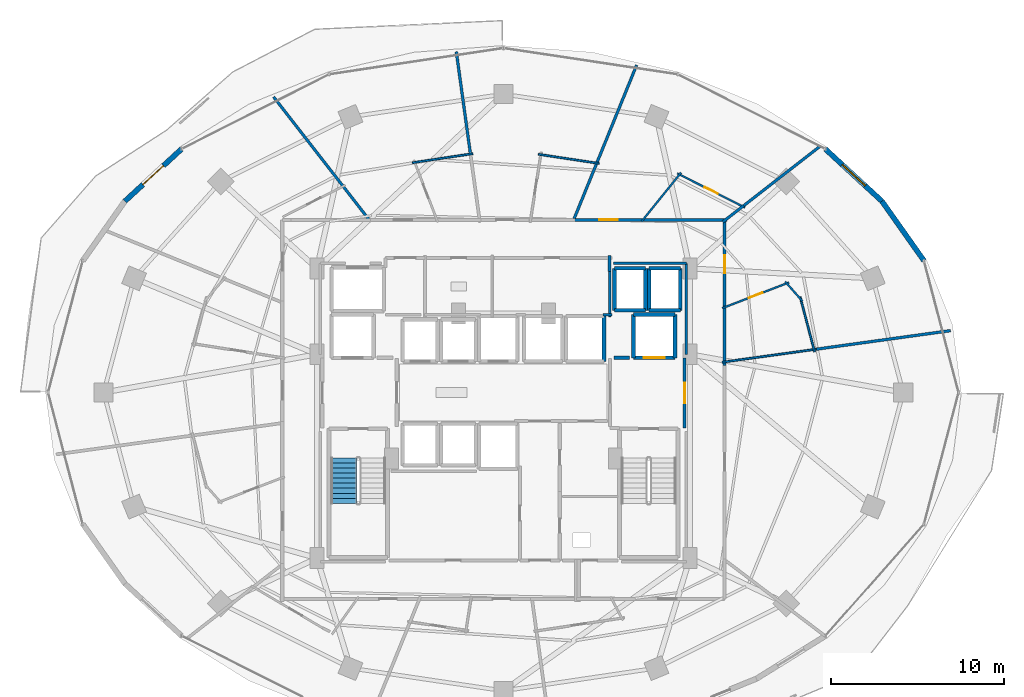
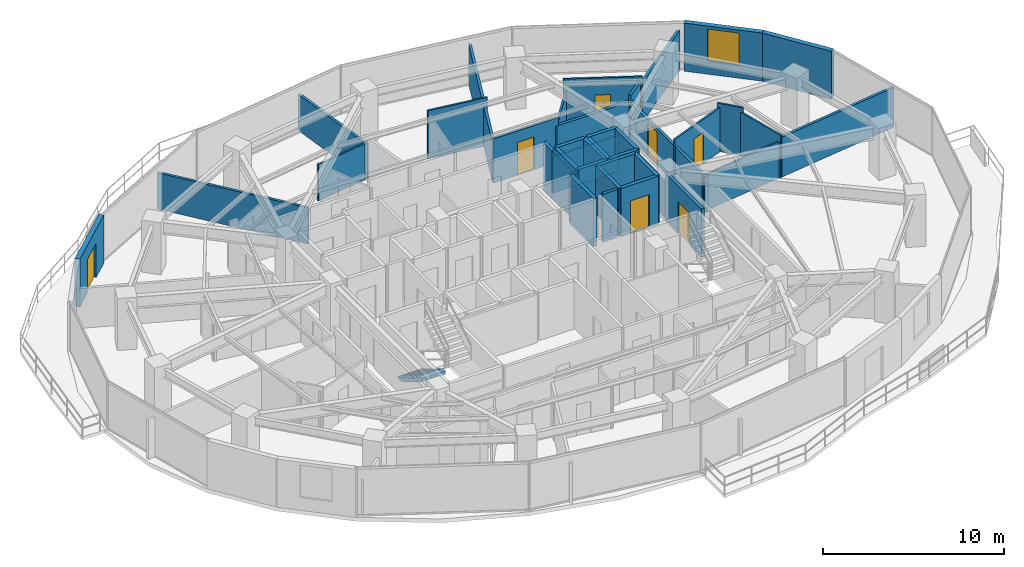
# One storey, part 25 of 30: 41 walls, 7 doors, 1 stair flight, 1 window, 8 openings, 1 element without a shape of its own.
"""IFC4 building model written with IfcOpenShell, lengths in metres."""

from ifc_helpers import new_model, si_unit, direction, frame, frame_2d, origin, place, context, subcontext, project, spatial, polyline, rectangle, outline, extrude, material, layer, layer_set, type_object, element, fill, aggregate, save


model = new_model("IFC4")

# Units and contexts
model_context = context("Model", 3, precision=1e-05, world=origin(), true_north=direction((0.0, 1.0)))
body_context = subcontext(model_context, "Body", "Model", "MODEL_VIEW")
ifc_project = project(units=[si_unit("LENGTHUNIT", "METRE"), si_unit("AREAUNIT", "SQUARE_METRE"), si_unit("VOLUMEUNIT", "CUBIC_METRE"), si_unit("PLANEANGLEUNIT", "RADIAN"), si_unit("MASSUNIT", "GRAM", prefix="KILO")], contexts=[model_context])

# Site, building, storey
site_placement = place(None, origin())
site = spatial("IfcSite", under=ifc_project, at=site_placement, CompositionType="ELEMENT")
building_placement = place(site_placement, origin())
building = spatial("IfcBuilding", under=site, at=building_placement, Name="Vorneva Point Tower", CompositionType="ELEMENT")
storey_placement = place(building_placement, frame((0.0, 0.0, 96.300048828125)))
storey = spatial("IfcBuildingStorey", under=building, at=storey_placement, Name="L25", CompositionType="ELEMENT", Elevation=96.300048828125)

# Wall, opening, door
ifc_material_1 = material(Name="Concrete B60 (C50/60)", Category="concrete")
ifc_layer_1 = layer(ifc_material_1, 0.5)
ifc_layer_set_1 = layer_set([ifc_layer_1], Name="Concrete B60 (C50/60)")
wall_type_1 = type_object("IfcWallType", Name="WL-CORE-500", PredefinedType="SHEAR", material=ifc_layer_set_1)
wall_1_placement = place(storey_placement, frame((45.5, 28.0, 0.0), z_axis=(0.0, 0.0, 1.0), x_axis=(1.0, 0.0, 0.0)))
wall_1 = element("IfcWall", 1, at=wall_1_placement, inside=storey, type_object=wall_type_1, Name="L25 Lift FFL2 Shaft Wall -Y", PredefinedType="SHEAR", context=body_context, shape_type="SweptSolid", body=[
    extrude(rectangle(XDim=2.39990234375, YDim=0.219970703125, at=frame_2d((1.199951171875, 0.0))), origin(), (0.0, 0.0, 1.0), 3.239990234375),
])
opening_1_placement = place(wall_1_placement, frame((0.60009765625, 0.0, 0.0)))
opening_1 = element("IfcOpeningElement", 2, at=opening_1_placement, cuts=wall_1, Name="Opening LD-02", PredefinedType="OPENING", context=body_context, shape_type="SweptSolid", body=[
    extrude(rectangle(XDim=1.199951171875, YDim=2.199951171875, at=frame_2d((0.60009765625, 1.10009765625))), frame((0.0, 0.125, 0.0), z_axis=(0.0, -1.0, 0.0), x_axis=(1.0, 0.0, 0.0)), (0.0, 0.0, 1.0), 0.249755859375),
])
ifc_material_2 = material(Name="Brushed stainless steel S304", Category="steel")
door_type_1 = type_object("IfcDoorType", Name="LD-FIRE-1200", OperationType="SLIDING_TO_LEFT", PredefinedType="DOOR", material=ifc_material_2)
door_1_placement = place(opening_1_placement, origin())
door_1 = element("IfcDoor", 3, at=door_1_placement, inside=storey, type_object=door_type_1, Name="L25 Lift FFL2 Sliding Landing Door", OperationType="SLIDING_TO_LEFT", OverallHeight=2.199951171875, OverallWidth=1.199951171875, PredefinedType="DOOR", context=body_context, shape_type="SweptSolid", body=[
    extrude(rectangle(XDim=1.199951171875, YDim=2.199951171875, at=frame_2d((0.60009765625, 1.10009765625))), frame((0.0, 0.02490234375, 0.0), z_axis=(0.0, -1.0, 0.0), x_axis=(1.0, 0.0, 0.0)), (0.0, 0.0, 1.0), 0.050048828125),
])
fill(opening_1, door_1)

# Walls
wall_2_placement = place(storey_placement, frame((47.89990234375, 28.0, 0.0), z_axis=(0.0, 0.0, 1.0), x_axis=(0.0, 1.0, 0.0)))
element("IfcWall", 4, at=wall_2_placement, inside=storey, type_object=wall_type_1, Name="L25 Lift FFL2 Shaft Wall +X", PredefinedType="SHEAR", context=body_context, shape_type="SweptSolid", body=[
    extrude(rectangle(XDim=2.5, YDim=0.219970703125, at=frame_2d((1.25, 0.0))), origin(), (0.0, 0.0, 1.0), 3.239990234375),
])
wall_3_placement = place(storey_placement, frame((47.89990234375, 30.5, 0.0), z_axis=(0.0, 0.0, 1.0), x_axis=(-1.0, 0.0, 0.0)))
element("IfcWall", 5, at=wall_3_placement, inside=storey, type_object=wall_type_1, Name="L25 Lift FFL2 Shaft Wall +Y", PredefinedType="SHEAR", context=body_context, shape_type="SweptSolid", body=[
    extrude(rectangle(XDim=2.39990234375, YDim=0.219970703125, at=frame_2d((1.199951171875, 0.0))), origin(), (0.0, 0.0, 1.0), 3.239990234375),
])
wall_4_placement = place(storey_placement, frame((45.5, 30.5, 0.0), z_axis=(0.0, 0.0, 1.0), x_axis=(0.0, -1.0, 0.0)))
element("IfcWall", 6, at=wall_4_placement, inside=storey, type_object=wall_type_1, Name="L25 Lift FFL2 Shaft Wall -X", PredefinedType="SHEAR", context=body_context, shape_type="SweptSolid", body=[
    extrude(rectangle(XDim=2.5, YDim=0.219970703125, at=frame_2d((1.25, 0.0))), origin(), (0.0, 0.0, 1.0), 3.239990234375),
])
ifc_material_3 = material(Name="Precast concrete B50 (C40/50)", Category="concrete")
ifc_layer_2 = layer(ifc_material_3, 0.300048828125)
ifc_layer_set_2 = layer_set([ifc_layer_2], Name="Precast concrete B50 (C40/50)")
wall_type_2 = type_object("IfcWallType", Name="WL-EXT-300", PredefinedType="STANDARD", material=ifc_layer_set_2)
wall_5_placement = place(storey_placement, frame((62.251708984375, 33.59619140625, 0.0), z_axis=(0.0, 0.0, 1.0), x_axis=(-0.57716435238, 0.81662801222, 0.0)))
element("IfcWall", 7, at=wall_5_placement, inside=storey, type_object=wall_type_2, Name="L25 Pale-Metal Facade Spandrel Wall 02.1", PredefinedType="STANDARD", context=body_context, shape_type="SweptSolid", body=[
    extrude(rectangle(XDim=4.202392578125, YDim=0.300048828125, at=frame_2d((2.10107421875, 0.0))), origin(), (0.0, 0.0, 1.0), 3.239990234375),
])

# Wall, opening, window
wall_6_placement = place(storey_placement, frame((59.826171875, 37.028076171875, 0.0), z_axis=(0.0, 0.0, 1.0), x_axis=(-0.735416718093, 0.677615119924, 0.0)))
wall_6 = element("IfcWall", 8, at=wall_6_placement, inside=storey, type_object=wall_type_2, Name="L25 Pale-Metal Facade Spandrel Wall 02.2", PredefinedType="STANDARD", context=body_context, shape_type="SweptSolid", body=[
    extrude(rectangle(XDim=4.439208984375, YDim=0.300048828125, at=frame_2d((2.2197265625, 0.0))), origin(), (0.0, 0.0, 1.0), 3.239990234375),
])
opening_2_placement = place(wall_6_placement, frame((1.319580078125, 0.0, 0.85009765625)))
opening_2 = element("IfcOpeningElement", 9, at=opening_2_placement, cuts=wall_6, Name="Opening W-01", PredefinedType="OPENING", context=body_context, shape_type="SweptSolid", body=[
    extrude(rectangle(XDim=1.800048828125, YDim=2.18994140625, at=frame_2d((0.89990234375, 1.094970703125))), frame((0.0, 0.1650390625, 0.0), z_axis=(0.0, -1.0, 0.0), x_axis=(1.0, 0.0, 0.0)), (0.0, 0.0, 1.0), 0.329833984375),
])
ifc_material_4 = material(Name="Double low-e laminated glass IGU", Category="glass")
window_type = type_object("IfcWindowType", Name="WN-LOG-1800", PartitioningType="SINGLE_PANEL", PredefinedType="WINDOW", material=ifc_material_4)
window_placement = place(opening_2_placement, origin())
window = element("IfcWindow", 10, at=window_placement, inside=storey, type_object=window_type, Name="L25 Facade Window 02", OverallHeight=2.18994140625, OverallWidth=1.800048828125, PartitioningType="SINGLE_PANEL", PredefinedType="WINDOW", context=body_context, shape_type="SweptSolid", body=[
    extrude(rectangle(XDim=1.800048828125, YDim=2.18994140625, at=frame_2d((0.89990234375, 1.094970703125))), frame((0.0, 0.030029296875, 0.0), z_axis=(0.0, -1.0, 0.0), x_axis=(1.0, 0.0, 0.0)), (0.0, 0.0, 1.0), 0.06005859375),
])
fill(opening_2, window)

# Wall, opening, door
wall_7_placement = place(storey_placement, frame((19.4384765625, 40.0361328125, 0.0), z_axis=(0.0, 0.0, 1.0), x_axis=(-0.735416718093, -0.677615119924, 0.0)))
wall_7 = element("IfcWall", 11, at=wall_7_placement, inside=storey, type_object=wall_type_2, Name="L25 Pale-Metal Facade Spandrel Wall 07.1", PredefinedType="STANDARD", context=body_context, shape_type="SweptSolid", body=[
    extrude(rectangle(XDim=4.439208984375, YDim=0.300048828125, at=frame_2d((2.2197265625, 0.0))), origin(), (0.0, 0.0, 1.0), 3.239990234375),
])
opening_3_placement = place(wall_7_placement, frame((1.41943359375, 0.0, 0.0)))
opening_3 = element("IfcOpeningElement", 12, at=opening_3_placement, cuts=wall_7, Name="Opening BD-01", PredefinedType="OPENING", context=body_context, shape_type="SweptSolid", body=[
    extrude(rectangle(XDim=1.60009765625, YDim=2.300048828125, at=frame_2d((0.800048828125, 1.14990234375))), frame((0.0, 0.1650390625, 0.0), z_axis=(0.0, -1.0, 0.0), x_axis=(1.0, 0.0, 0.0)), (0.0, 0.0, 1.0), 0.329833984375),
])
ifc_material_5 = material(Name="Pale anodised aluminium", Category="aluminium")
door_type_2 = type_object("IfcDoorType", Name="DR-BAL-1600", OperationType="SLIDING_TO_LEFT", PredefinedType="DOOR", material=ifc_material_5)
door_2_placement = place(opening_3_placement, origin())
door_2 = element("IfcDoor", 13, at=door_2_placement, inside=storey, type_object=door_type_2, Name="L25 Balcony Terrace Access Door 07", OperationType="SLIDING_TO_LEFT", OverallHeight=2.300048828125, OverallWidth=1.60009765625, PredefinedType="DOOR", context=body_context, shape_type="SweptSolid", body=[
    extrude(rectangle(XDim=1.60009765625, YDim=2.300048828125, at=frame_2d((0.800048828125, 1.14990234375))), frame((0.0, 0.02490234375, 0.0), z_axis=(0.0, -1.0, 0.0), x_axis=(1.0, 0.0, 0.0)), (0.0, 0.0, 1.0), 0.050048828125),
])
fill(opening_3, door_2)

# Walls
ifc_material_6 = material(Name="Fire-rated acoustic gypsum stud partition", Category="gypsum")
ifc_layer_3 = layer(ifc_material_6, 0.110107421875)
ifc_layer_set_3 = layer_set([ifc_layer_3], Name="Fire-rated acoustic gypsum stud partition")
wall_type_3 = type_object("IfcWallType", Name="WL-PART-110", PredefinedType="PARTITIONING", material=ifc_layer_set_3)
wall_8_placement = place(storey_placement, frame((54.240234375, 32.39794921875, 0.0), z_axis=(0.0, 0.0, 1.0), x_axis=(0.661931735756, -0.749564124808, 0.0)))
element("IfcWall", 14, at=wall_8_placement, inside=storey, type_object=wall_type_3, Name="L25 Interior Partition 049", PredefinedType="PARTITIONING", context=body_context, shape_type="SweptSolid", body=[
    extrude(rectangle(XDim=1.510009765625, YDim=0.110107421875, at=frame_2d((0.7548828125, 0.0))), origin(), (0.0, 0.0, 1.0), 3.239990234375),
])
wall_9_placement = place(storey_placement, frame((55.111328125, 31.50634765625, 0.0), z_axis=(0.0, 0.0, 1.0), x_axis=(0.254405137241, -0.967097733502, 0.0)))
element("IfcWall", 15, at=wall_9_placement, inside=storey, type_object=wall_type_3, Name="L25 Interior Partition 050", PredefinedType="PARTITIONING", context=body_context, shape_type="SweptSolid", body=[
    extrude(rectangle(XDim=3.271484375, YDim=0.110107421875, at=frame_2d((1.6357421875, 0.0))), origin(), (0.0, 0.0, 1.0), 2.921875),
])
wall_10_placement = place(storey_placement, frame((56.046630859375, 28.497314453125, 0.0), z_axis=(0.0, 0.0, 1.0), x_axis=(-0.990553307294, -0.137128207927, 0.0)))
element("IfcWall", 16, at=wall_10_placement, inside=storey, type_object=wall_type_3, Name="L25 Interior Partition 051", PredefinedType="PARTITIONING", context=body_context, shape_type="SweptSolid", body=[
    extrude(rectangle(XDim=5.487060546875, YDim=0.110107421875, at=frame_2d((2.74365234375, 0.0))), origin(), (0.0, 0.0, 1.0), 2.431884765625),
])

# Wall, opening, door
wall_11_placement = place(storey_placement, frame((50.619384765625, 30.86279296875, 0.0), z_axis=(0.0, 0.0, 1.0), x_axis=(0.933189718051, 0.359384126144, 0.0)))
wall_11 = element("IfcWall", 17, at=wall_11_placement, inside=storey, type_object=wall_type_3, Name="L25 Interior Partition 052", PredefinedType="PARTITIONING", context=body_context, shape_type="SweptSolid", body=[
    extrude(rectangle(XDim=4.119384765625, YDim=0.110107421875, at=frame_2d((2.0595703125, 0.0))), origin(), (0.0, 0.0, 1.0), 2.971923828125),
])
opening_4_placement = place(wall_11_placement, frame((1.634765625, 0.0, 0.0)))
opening_4 = element("IfcOpeningElement", 18, at=opening_4_placement, cuts=wall_11, Name="Opening ID-02", PredefinedType="OPENING", context=body_context, shape_type="SweptSolid", body=[
    extrude(rectangle(XDim=0.85009765625, YDim=2.10009765625, at=frame_2d((0.425048828125, 1.050048828125))), frame((0.0, 0.06982421875, 0.0), z_axis=(0.0, -1.0, 0.0), x_axis=(1.0, 0.0, 0.0)), (0.0, 0.0, 1.0), 0.139892578125),
])
ifc_material_7 = material(Name="Engineered oak fire-rated door leaf", Category="wood")
door_type_3 = type_object("IfcDoorType", Name="DR-BATH-850", OperationType="NOTDEFINED", PredefinedType="DOOR", material=ifc_material_7)
door_3_placement = place(opening_4_placement, origin())
door_3 = element("IfcDoor", 19, at=door_3_placement, inside=storey, type_object=door_type_3, Name="L25 Door Junior Suite L25-01 / En-Suite Bathroom L25-01", OperationType="SINGLE_SWING_LEFT", OverallHeight=2.10009765625, OverallWidth=0.85009765625, PredefinedType="DOOR", context=body_context, shape_type="SweptSolid", body=[
    extrude(rectangle(XDim=0.85009765625, YDim=2.10009765625, at=frame_2d((0.425048828125, 1.050048828125))), frame((0.0, 0.02490234375, 0.0), z_axis=(0.0, -1.0, 0.0), x_axis=(1.0, 0.0, 0.0)), (0.0, 0.0, 1.0), 0.050048828125),
])
fill(opening_4, door_3)

# Wall
wall_12_placement = place(storey_placement, frame((45.950927734375, 35.841064453125, 0.0), z_axis=(0.0, 0.0, 1.0), x_axis=(0.628411924203, 0.77788074505, 0.0)))
element("IfcWall", 20, at=wall_12_placement, inside=storey, type_object=wall_type_3, Name="L25 Interior Partition 056", PredefinedType="PARTITIONING", context=body_context, shape_type="SweptSolid", body=[
    extrude(rectangle(XDim=3.645751953125, YDim=0.110107421875, at=frame_2d((1.82275390625, 0.0))), origin(), (0.0, 0.0, 1.0), 2.431884765625),
])

# Wall, opening, door
wall_13_placement = place(storey_placement, frame((48.029052734375, 38.631103515625, 0.0), z_axis=(0.0, 0.0, 1.0), x_axis=(0.892459125519, -0.451128262558, 0.0)))
wall_13 = element("IfcWall", 21, at=wall_13_placement, inside=storey, type_object=wall_type_3, Name="L25 Interior Partition 057", PredefinedType="PARTITIONING", context=body_context, shape_type="SweptSolid", body=[
    extrude(rectangle(XDim=4.36083984375, YDim=0.110107421875, at=frame_2d((2.180419921875, 0.0))), origin(), (0.0, 0.0, 1.0), 3.239990234375),
])
opening_5_placement = place(wall_13_placement, frame((1.75537109375, 0.0, 0.0)))
opening_5 = element("IfcOpeningElement", 22, at=opening_5_placement, cuts=wall_13, Name="Opening ID-02", PredefinedType="OPENING", context=body_context, shape_type="SweptSolid", body=[
    extrude(rectangle(XDim=0.85009765625, YDim=2.10009765625, at=frame_2d((0.425048828125, 1.050048828125))), frame((0.0, 0.06982421875, 0.0), z_axis=(0.0, -1.0, 0.0), x_axis=(1.0, 0.0, 0.0)), (0.0, 0.0, 1.0), 0.139892578125),
])
door_4_placement = place(opening_5_placement, origin())
door_4 = element("IfcDoor", 23, at=door_4_placement, inside=storey, type_object=door_type_3, Name="L25 Door Executive Suite L25-02 / En-Suite Bathroom L25-02", OperationType="SINGLE_SWING_RIGHT", OverallHeight=2.10009765625, OverallWidth=0.85009765625, PredefinedType="DOOR", context=body_context, shape_type="SweptSolid", body=[
    extrude(rectangle(XDim=0.85009765625, YDim=2.10009765625, at=frame_2d((0.425048828125, 1.050048828125))), frame((0.0, 0.02490234375, 0.0), z_axis=(0.0, -1.0, 0.0), x_axis=(1.0, 0.0, 0.0)), (0.0, 0.0, 1.0), 0.050048828125),
])
fill(opening_5, door_4)

# Walls
wall_14_placement = place(storey_placement, frame((40.0166015625, 39.73291015625, 0.0), z_axis=(0.0, 0.0, 1.0), x_axis=(0.988835521732, -0.149011110196, 0.0)))
element("IfcWall", 24, at=wall_14_placement, inside=storey, type_object=wall_type_3, Name="L25 Interior Partition 059", PredefinedType="PARTITIONING", context=body_context, shape_type="SweptSolid", body=[
    extrude(rectangle(XDim=3.542236328125, YDim=0.110107421875, at=frame_2d((1.77099609375, 0.0))), origin(), (0.0, 0.0, 1.0), 3.239990234375),
])
wall_15_placement = place(storey_placement, frame((32.74951171875, 39.24609375, 0.0), z_axis=(0.0, 0.0, 1.0), x_axis=(0.988874324222, 0.148753389525, 0.0)))
element("IfcWall", 25, at=wall_15_placement, inside=storey, type_object=wall_type_3, Name="L25 Interior Partition 064", PredefinedType="PARTITIONING", context=body_context, shape_type="SweptSolid", body=[
    extrude(rectangle(XDim=3.527099609375, YDim=0.110107421875, at=frame_2d((1.763671875, 0.0))), origin(), (0.0, 0.0, 1.0), 2.431884765625),
])
ifc_layer_4 = layer(ifc_material_6, 0.139892578125)
ifc_layer_set_4 = layer_set([ifc_layer_4], Name="Fire-rated acoustic gypsum stud partition")
wall_type_4 = type_object("IfcWallType", Name="WL-PART-140", PredefinedType="PARTITIONING", material=ifc_layer_set_4)
wall_16_placement = place(storey_placement, frame((43.735107421875, 30.47998046875, 0.0), z_axis=(0.0, 0.0, 1.0), x_axis=(1.0, 0.0, 0.0)))
element("IfcWall", 26, at=wall_16_placement, inside=storey, type_object=wall_type_4, Name="L25 Interior Closure Partition 091", PredefinedType="PARTITIONING", context=body_context, shape_type="SweptSolid", body=[
    extrude(rectangle(XDim=0.52490234375, YDim=0.139892578125, at=frame_2d((0.262451171875, 0.0))), origin(), (0.0, 0.0, 1.0), 3.239990234375),
])
wall_17_placement = place(storey_placement, frame((44.1201171875, 30.340087890625, 0.0), z_axis=(0.0, 0.0, 1.0), x_axis=(0.0, 1.0, 0.0)))
element("IfcWall", 27, at=wall_17_placement, inside=storey, type_object=wall_type_4, Name="L25 Interior Closure Partition 092", PredefinedType="PARTITIONING", context=body_context, shape_type="SweptSolid", body=[
    extrude(rectangle(XDim=2.659912109375, YDim=0.139892578125, at=frame_2d((1.330078125, 0.0))), origin(), (0.0, 0.0, 1.0), 3.239990234375),
])
wall_18_placement = place(storey_placement, frame((44.340087890625, 33.449951171875, 0.0), z_axis=(0.0, 0.0, 1.0), x_axis=(1.0, 0.0, 0.0)))
element("IfcWall", 28, at=wall_18_placement, inside=storey, type_object=wall_type_4, Name="L25 Interior Closure Partition 094", PredefinedType="PARTITIONING", context=body_context, shape_type="SweptSolid", body=[
    extrude(rectangle(XDim=4.2099609375, YDim=0.139892578125, at=frame_2d((2.10498046875, 0.0))), origin(), (0.0, 0.0, 1.0), 2.431884765625),
])
wall_19_placement = place(storey_placement, frame((48.550048828125, 33.449951171875, 0.0), z_axis=(0.0, 0.0, 1.0), x_axis=(0.0, -1.0, 0.0)))
element("IfcWall", 29, at=wall_19_placement, inside=storey, type_object=wall_type_4, Name="L25 Interior Closure Partition 095", PredefinedType="PARTITIONING", context=body_context, shape_type="SweptSolid", body=[
    extrude(rectangle(XDim=5.25390625, YDim=0.139892578125, at=frame_2d((2.626953125, 0.0))), origin(), (0.0, 0.0, 1.0), 2.431884765625),
])
ifc_layer_5 = layer(ifc_material_6, 0.159912109375)
ifc_layer_set_5 = layer_set([ifc_layer_5], Name="Fire-rated acoustic gypsum stud partition")
wall_type_5 = type_object("IfcWallType", Name="WL-PART-160", PredefinedType="PARTITIONING", material=ifc_layer_set_5)
wall_20_placement = place(storey_placement, frame((56.27490234375, 40.2099609375, 0.0), z_axis=(0.0, 0.0, 1.0), x_axis=(-0.78943235806, -0.613837561614, 0.0)))
element("IfcWall", 30, at=wall_20_placement, inside=storey, type_object=wall_type_5, Name="L25 Interior Partition 053", PredefinedType="PARTITIONING", context=body_context, shape_type="SweptSolid", body=[
    extrude(rectangle(XDim=5.74072265625, YDim=0.159912109375, at=frame_2d((2.870361328125, 0.0))), origin(), (0.0, 0.0, 1.0), 2.677001953125),
])
wall_21_placement = place(storey_placement, frame((51.853515625, 36.772216796875, 0.0), z_axis=(0.0, 0.0, 1.0), x_axis=(-0.789420593357, -0.613852691436, 0.0)))
element("IfcWall", 31, at=wall_21_placement, inside=storey, type_object=wall_type_5, Name="L25 Interior Partition 054", PredefinedType="PARTITIONING", context=body_context, shape_type="SweptSolid", body=[
    extrude(rectangle(XDim=1.5380859375, YDim=0.159912109375, at=frame_2d((0.76904296875, 0.0))), origin(), (0.0, 0.0, 1.0), 2.921875),
])
wall_22_placement = place(storey_placement, frame((56.046875, 28.49658203125, 0.0), z_axis=(0.0, 0.0, 1.0), x_axis=(0.990569127114, 0.137013883997, 0.0)))
element("IfcWall", 32, at=wall_22_placement, inside=storey, type_object=wall_type_5, Name="L25 Interior Partition 055", PredefinedType="PARTITIONING", context=body_context, shape_type="SweptSolid", body=[
    extrude(rectangle(XDim=7.811767578125, YDim=0.159912109375, at=frame_2d((3.90576171875, 0.0))), origin(), (0.0, 0.0, 1.0), 2.677001953125),
])
wall_23_placement = place(storey_placement, frame((45.681884765625, 44.8798828125, 0.0), z_axis=(0.0, 0.0, 1.0), x_axis=(-0.376911553655, -0.9262492541, 0.0)))
element("IfcWall", 33, at=wall_23_placement, inside=storey, type_object=wall_type_5, Name="L25 Interior Partition 058", PredefinedType="PARTITIONING", context=body_context, shape_type="SweptSolid", body=[
    extrude(rectangle(XDim=9.640869140625, YDim=0.159912109375, at=frame_2d((4.8203125, 0.0))), origin(), (0.0, 0.0, 1.0), 2.677001953125),
])
wall_24_placement = place(storey_placement, frame((35.282958984375, 45.64697265625, 0.0), z_axis=(0.0, 0.0, 1.0), x_axis=(0.137015172239, -0.990568948926, 0.0)))
element("IfcWall", 34, at=wall_24_placement, inside=storey, type_object=wall_type_5, Name="L25 Interior Partition 061", PredefinedType="PARTITIONING", context=body_context, shape_type="SweptSolid", body=[
    extrude(rectangle(XDim=6.013671875, YDim=0.159912109375, at=frame_2d((3.0068359375, 0.0))), origin(), (0.0, 0.0, 1.0), 2.431884765625),
])
wall_25_placement = place(storey_placement, frame((24.7490234375, 43.041015625, 0.0), z_axis=(0.0, 0.0, 1.0), x_axis=(0.61384652665, -0.789425387051, 0.0)))
element("IfcWall", 35, at=wall_25_placement, inside=storey, type_object=wall_type_5, Name="L25 Interior Partition 065", PredefinedType="PARTITIONING", context=body_context, shape_type="SweptSolid", body=[
    extrude(rectangle(XDim=8.982666015625, YDim=0.159912109375, at=frame_2d((4.4912109375, 0.0))), origin(), (0.0, 0.0, 1.0), 2.431884765625),
])

# Wall, opening, door
ifc_material_8 = material(Name="Autoclaved aerated concrete blockwork", Category="masonry")
ifc_layer_6 = layer(ifc_material_8, 0.179931640625)
ifc_layer_set_6 = layer_set([ifc_layer_6], Name="Autoclaved aerated concrete blockwork")
wall_type_6 = type_object("IfcWallType", Name="WL-PART-180", PredefinedType="PARTITIONING", material=ifc_layer_set_6)
wall_26_placement = place(storey_placement, frame((48.449951171875, 23.949951171875, 0.0), z_axis=(0.0, 0.0, 1.0), x_axis=(0.0, 1.0, 0.0)))
wall_26 = element("IfcWall", 36, at=wall_26_placement, inside=storey, type_object=wall_type_6, Name="L25 Interior Partition 005", PredefinedType="PARTITIONING", context=body_context, shape_type="SweptSolid", body=[
    extrude(rectangle(XDim=4.050048828125, YDim=0.179931640625, at=frame_2d((2.02490234375, 0.0))), origin(), (0.0, 0.0, 1.0), 3.239990234375),
])
opening_6_placement = place(wall_26_placement, frame((1.425048828125, 0.0, 0.0)))
opening_6 = element("IfcOpeningElement", 37, at=opening_6_placement, cuts=wall_26, Name="Opening FD-02", PredefinedType="OPENING", context=body_context, shape_type="SweptSolid", body=[
    extrude(rectangle(XDim=1.199951171875, YDim=2.14990234375, at=frame_2d((0.60009765625, 1.074951171875))), frame((0.0, 0.10498046875, 0.0), z_axis=(0.0, -1.0, 0.0), x_axis=(1.0, 0.0, 0.0)), (0.0, 0.0, 1.0), 0.209716796875),
])
ifc_material_9 = material(Name="Fire-rated powder-coated steel", Category="steel")
door_type_4 = type_object("IfcDoorType", Name="DR-FFL-1200", OperationType="NOTDEFINED", PredefinedType="DOOR", material=ifc_material_9)
door_5_placement = place(opening_6_placement, origin())
door_5 = element("IfcDoor", 38, at=door_5_placement, inside=storey, type_object=door_type_4, Name="L25 Door East Firefighting Lobby / L25 Circulation Corridor", OperationType="SINGLE_SWING_LEFT", OverallHeight=2.14990234375, OverallWidth=1.199951171875, PredefinedType="DOOR", context=body_context, shape_type="SweptSolid", body=[
    extrude(rectangle(XDim=1.199951171875, YDim=2.14990234375, at=frame_2d((0.60009765625, 1.074951171875))), frame((0.0, 0.02490234375, 0.0), z_axis=(0.0, -1.0, 0.0), x_axis=(1.0, 0.0, 0.0)), (0.0, 0.0, 1.0), 0.050048828125),
])
fill(opening_6, door_5)

# Wall
wall_27_placement = place(storey_placement, frame((44.1201171875, 32.969970703125, 0.0), z_axis=(0.0, 0.0, 1.0), x_axis=(0.0, 1.0, 0.0)))
element("IfcWall", 39, at=wall_27_placement, inside=storey, type_object=wall_type_6, Name="L25 Interior Partition 020", PredefinedType="PARTITIONING", context=body_context, shape_type="SweptSolid", body=[
    extrude(rectangle(XDim=0.929931640625, YDim=0.179931640625, at=frame_2d((0.46484375, 0.0))), origin(), (0.0, 0.0, 1.0), 3.239990234375),
])

# Wall, opening, door
wall_28_placement = place(storey_placement, frame((50.75, 30.85302734375, 0.0), z_axis=(0.0, 0.0, 1.0), x_axis=(0.0, 1.0, 0.0)))
wall_28 = element("IfcWall", 40, at=wall_28_placement, inside=storey, type_object=wall_type_6, Name="L25 Interior Partition 022", PredefinedType="PARTITIONING", context=body_context, shape_type="SweptSolid", body=[
    extrude(rectangle(XDim=5.096923828125, YDim=0.179931640625, at=frame_2d((2.54833984375, 0.0))), origin(), (0.0, 0.0, 1.0), 2.431884765625),
])
opening_7_placement = place(wall_28_placement, frame((2.0234375, 0.0, 0.0)))
opening_7 = element("IfcOpeningElement", 41, at=opening_7_placement, cuts=wall_28, Name="Opening UD-02", PredefinedType="OPENING", context=body_context, shape_type="SweptSolid", body=[
    extrude(rectangle(XDim=1.050048828125, YDim=2.199951171875, at=frame_2d((0.52490234375, 1.10009765625))), frame((0.0, 0.10498046875, 0.0), z_axis=(0.0, -1.0, 0.0), x_axis=(1.0, 0.0, 0.0)), (0.0, 0.0, 1.0), 0.209716796875),
])
door_type_5 = type_object("IfcDoorType", Name="DR-SUITE-1050", OperationType="NOTDEFINED", PredefinedType="DOOR", material=ifc_material_7)
door_6_placement = place(opening_7_placement, origin())
door_6 = element("IfcDoor", 42, at=door_6_placement, inside=storey, type_object=door_type_5, Name="L25 Door L25 Circulation Corridor / Junior Suite L25-01", OperationType="SINGLE_SWING_LEFT", OverallHeight=2.199951171875, OverallWidth=1.050048828125, PredefinedType="DOOR", context=body_context, shape_type="SweptSolid", body=[
    extrude(rectangle(XDim=1.050048828125, YDim=2.199951171875, at=frame_2d((0.52490234375, 1.10009765625))), frame((0.0, 0.02490234375, 0.0), z_axis=(0.0, -1.0, 0.0), x_axis=(1.0, 0.0, 0.0)), (0.0, 0.0, 1.0), 0.050048828125),
])
fill(opening_7, door_6)

# Wall
wall_29_placement = place(storey_placement, frame((50.75, 27.56396484375, 0.0), z_axis=(0.0, 0.0, 1.0), x_axis=(0.0, 1.0, 0.0)))
element("IfcWall", 43, at=wall_29_placement, inside=storey, type_object=wall_type_6, Name="L25 Interior Partition 023", PredefinedType="PARTITIONING", context=body_context, shape_type="SweptSolid", body=[
    extrude(rectangle(XDim=3.428955078125, YDim=0.179931640625, at=frame_2d((1.71435546875, 0.0))), origin(), (0.0, 0.0, 1.0), 2.431884765625),
])

# Wall, opening, door
wall_30_placement = place(storey_placement, frame((46.115966796875, 35.949951171875, 0.0), z_axis=(0.0, 0.0, 1.0), x_axis=(-1.0, 0.0, 0.0)))
wall_30 = element("IfcWall", 44, at=wall_30_placement, inside=storey, type_object=wall_type_6, Name="L25 Interior Partition 024", PredefinedType="PARTITIONING", context=body_context, shape_type="SweptSolid", body=[
    extrude(rectangle(XDim=4.1279296875, YDim=0.179931640625, at=frame_2d((2.06396484375, 0.0))), origin(), (0.0, 0.0, 1.0), 2.971923828125),
])
opening_8_placement = place(wall_30_placement, frame((1.5390625, 0.0, 0.0)))
opening_8 = element("IfcOpeningElement", 45, at=opening_8_placement, cuts=wall_30, Name="Opening UD-02", PredefinedType="OPENING", context=body_context, shape_type="SweptSolid", body=[
    extrude(rectangle(XDim=1.050048828125, YDim=2.199951171875, at=frame_2d((0.52490234375, 1.10009765625))), frame((0.0, 0.10498046875, 0.0), z_axis=(0.0, -1.0, 0.0), x_axis=(1.0, 0.0, 0.0)), (0.0, 0.0, 1.0), 0.209716796875),
])
door_7_placement = place(opening_8_placement, origin())
door_7 = element("IfcDoor", 46, at=door_7_placement, inside=storey, type_object=door_type_5, Name="L25 Door L25 Circulation Corridor / Executive Suite L25-02", OperationType="SINGLE_SWING_RIGHT", OverallHeight=2.199951171875, OverallWidth=1.050048828125, PredefinedType="DOOR", context=body_context, shape_type="SweptSolid", body=[
    extrude(rectangle(XDim=1.050048828125, YDim=2.199951171875, at=frame_2d((0.52490234375, 1.10009765625))), frame((0.0, 0.02490234375, 0.0), z_axis=(0.0, -1.0, 0.0), x_axis=(1.0, 0.0, 0.0)), (0.0, 0.0, 1.0), 0.050048828125),
])
fill(opening_8, door_7)

# Walls
wall_31_placement = place(storey_placement, frame((50.889892578125, 35.949951171875, 0.0), z_axis=(0.0, 0.0, 1.0), x_axis=(-1.0, 0.0, 0.0)))
element("IfcWall", 47, at=wall_31_placement, inside=storey, type_object=wall_type_6, Name="L25 Interior Partition 025", PredefinedType="PARTITIONING", context=body_context, shape_type="SweptSolid", body=[
    extrude(rectangle(XDim=4.913818359375, YDim=0.179931640625, at=frame_2d((2.45703125, 0.0))), origin(), (0.0, 0.0, 1.0), 2.431884765625),
])
wall_32_placement = place(storey_placement, frame((45.280029296875, 28.0, 0.0), z_axis=(0.0, 0.0, 1.0), x_axis=(-1.0, 0.0, 0.0)))
element("IfcWall", 48, at=wall_32_placement, inside=storey, type_object=wall_type_6, Name="L25 Interior Closure Partition 087", PredefinedType="PARTITIONING", context=body_context, shape_type="SweptSolid", body=[
    extrude(rectangle(XDim=0.9150390625, YDim=0.179931640625, at=frame_2d((0.45751953125, 0.0))), origin(), (0.0, 0.0, 1.0), 3.239990234375),
])
ifc_material_10 = material(Name="Concrete B50 (C40/50)", Category="concrete")
ifc_layer_7 = layer(ifc_material_10, 0.219970703125)
ifc_layer_set_7 = layer_set([ifc_layer_7], Name="Concrete B50 (C40/50)")
wall_type_7 = type_object("IfcWallType", Name="WL-SHFT-220", PredefinedType="SOLIDWALL", material=ifc_layer_set_7)
wall_33_placement = place(storey_placement, frame((43.800048828125, 27.800048828125, 0.0), z_axis=(0.0, 0.0, 1.0), x_axis=(0.0, 1.0, 0.0)))
element("IfcWall", 49, at=wall_33_placement, inside=storey, type_object=wall_type_7, Name="L25 Lift PL8 Shaft Wall +X", PredefinedType="SOLIDWALL", context=body_context, shape_type="SweptSolid", body=[
    extrude(rectangle(XDim=2.599853515625, YDim=0.219970703125, at=frame_2d((1.2998046875, 0.0))), origin(), (0.0, 0.0, 1.0), 3.239990234375),
])
wall_34_placement = place(storey_placement, frame((44.39990234375, 30.739990234375, 0.0), z_axis=(0.0, 0.0, 1.0), x_axis=(1.0, 0.0, 0.0)))
element("IfcWall", 50, at=wall_34_placement, inside=storey, type_object=wall_type_7, Name="L25 Lift EX1 Shaft Wall -Y", PredefinedType="SOLIDWALL", context=body_context, shape_type="SweptSolid", body=[
    extrude(rectangle(XDim=1.800048828125, YDim=0.219970703125, at=frame_2d((0.89990234375, 0.0))), origin(), (0.0, 0.0, 1.0), 3.239990234375),
])
wall_35_placement = place(storey_placement, frame((46.199951171875, 30.739990234375, 0.0), z_axis=(0.0, 0.0, 1.0), x_axis=(0.0, 1.0, 0.0)))
element("IfcWall", 51, at=wall_35_placement, inside=storey, type_object=wall_type_7, Name="L25 Lift EX1 Shaft Wall +X", PredefinedType="SOLIDWALL", context=body_context, shape_type="SweptSolid", body=[
    extrude(rectangle(XDim=2.419921875, YDim=0.219970703125, at=frame_2d((1.2099609375, 0.0))), origin(), (0.0, 0.0, 1.0), 3.239990234375),
])
wall_36_placement = place(storey_placement, frame((46.199951171875, 33.159912109375, 0.0), z_axis=(0.0, 0.0, 1.0), x_axis=(-1.0, 0.0, 0.0)))
element("IfcWall", 52, at=wall_36_placement, inside=storey, type_object=wall_type_7, Name="L25 Lift EX1 Shaft Wall +Y", PredefinedType="SOLIDWALL", context=body_context, shape_type="SweptSolid", body=[
    extrude(rectangle(XDim=1.800048828125, YDim=0.219970703125, at=frame_2d((0.89990234375, 0.0))), origin(), (0.0, 0.0, 1.0), 3.239990234375),
])
wall_37_placement = place(storey_placement, frame((44.39990234375, 33.159912109375, 0.0), z_axis=(0.0, 0.0, 1.0), x_axis=(0.0, -1.0, 0.0)))
element("IfcWall", 53, at=wall_37_placement, inside=storey, type_object=wall_type_7, Name="L25 Lift EX1 Shaft Wall -X", PredefinedType="SOLIDWALL", context=body_context, shape_type="SweptSolid", body=[
    extrude(rectangle(XDim=2.419921875, YDim=0.219970703125, at=frame_2d((1.2099609375, 0.0))), origin(), (0.0, 0.0, 1.0), 3.239990234375),
])
wall_38_placement = place(storey_placement, frame((46.39990234375, 30.739990234375, 0.0), z_axis=(0.0, 0.0, 1.0), x_axis=(1.0, 0.0, 0.0)))
element("IfcWall", 54, at=wall_38_placement, inside=storey, type_object=wall_type_7, Name="L25 Lift EX2 Shaft Wall -Y", PredefinedType="SOLIDWALL", context=body_context, shape_type="SweptSolid", body=[
    extrude(rectangle(XDim=1.800048828125, YDim=0.219970703125, at=frame_2d((0.89990234375, 0.0))), origin(), (0.0, 0.0, 1.0), 3.239990234375),
])
wall_39_placement = place(storey_placement, frame((48.199951171875, 30.739990234375, 0.0), z_axis=(0.0, 0.0, 1.0), x_axis=(0.0, 1.0, 0.0)))
element("IfcWall", 55, at=wall_39_placement, inside=storey, type_object=wall_type_7, Name="L25 Lift EX2 Shaft Wall +X", PredefinedType="SOLIDWALL", context=body_context, shape_type="SweptSolid", body=[
    extrude(rectangle(XDim=2.419921875, YDim=0.219970703125, at=frame_2d((1.2099609375, 0.0))), origin(), (0.0, 0.0, 1.0), 3.239990234375),
])
wall_40_placement = place(storey_placement, frame((48.199951171875, 33.159912109375, 0.0), z_axis=(0.0, 0.0, 1.0), x_axis=(-1.0, 0.0, 0.0)))
element("IfcWall", 56, at=wall_40_placement, inside=storey, type_object=wall_type_7, Name="L25 Lift EX2 Shaft Wall +Y", PredefinedType="SOLIDWALL", context=body_context, shape_type="SweptSolid", body=[
    extrude(rectangle(XDim=1.800048828125, YDim=0.219970703125, at=frame_2d((0.89990234375, 0.0))), origin(), (0.0, 0.0, 1.0), 3.239990234375),
])
wall_41_placement = place(storey_placement, frame((46.39990234375, 33.159912109375, 0.0), z_axis=(0.0, 0.0, 1.0), x_axis=(0.0, -1.0, 0.0)))
element("IfcWall", 57, at=wall_41_placement, inside=storey, type_object=wall_type_7, Name="L25 Lift EX2 Shaft Wall -X", PredefinedType="SOLIDWALL", context=body_context, shape_type="SweptSolid", body=[
    extrude(rectangle(XDim=2.419921875, YDim=0.219970703125, at=frame_2d((1.2099609375, 0.0))), origin(), (0.0, 0.0, 1.0), 3.239990234375),
])

# Stair, stair flight
stair_type = type_object("IfcStairType", Name="ST-DOG-1500", PredefinedType="HALF_TURN_STAIR", material=ifc_material_10)
stair_placement = place(storey_placement, origin())
stair = element("IfcStair", 58, at=stair_placement, inside=storey, type_object=stair_type, Name="L25 ST1", PredefinedType="HALF_TURN_STAIR")
stair_flight_type = type_object("IfcStairFlightType", Name="STF-1500", PredefinedType="STRAIGHT", material=ifc_material_10)
stair_flight_placement = place(storey_placement, frame((28.800048828125, 22.219970703125, 0.0), z_axis=(0.0, 0.0, 1.0), x_axis=(0.0, -1.0, 0.0)))
stair_flight = element("IfcStairFlight", 59, at=stair_flight_placement, type_object=stair_flight_type, Name="ST1 flight 1", NumberOfRisers=10, NumberOfTreads=9, PredefinedType="STRAIGHT", RiserHeight=0.175, TreadLength=0.29, context=body_context, shape_type="SweptSolid", body=[
    extrude(outline(polyline([(0.0, 0.0), (0.0, 0.175048828125), (0.2900390625, 0.175048828125), (0.2900390625, 0.35009765625), (0.580078125, 0.35009765625), (0.580078125, 0.52490234375), (0.8701171875, 0.52490234375), (0.8701171875, 0.699951171875), (1.159912109375, 0.699951171875), (1.159912109375, 0.875), (1.449951171875, 0.875), (1.449951171875, 1.050048828125), (1.739990234375, 1.050048828125), (1.739990234375, 1.22509765625), (2.030029296875, 1.22509765625), (2.030029296875, 1.39990234375), (2.320068359375, 1.39990234375), (2.320068359375, 1.574951171875), (2.610107421875, 1.574951171875), (2.610107421875, 1.75), (2.610107421875, 1.36474609375), (0.34814453125, 0.0), (0.0, 0.0)])), frame((0.0, 0.75, 0.0), z_axis=(0.0, -1.0, 0.0), x_axis=(1.0, 0.0, 0.0)), (0.0, 0.0, 1.0), 1.5),
])
aggregate(stair, [stair_flight])

save(model, "model.ifc")
